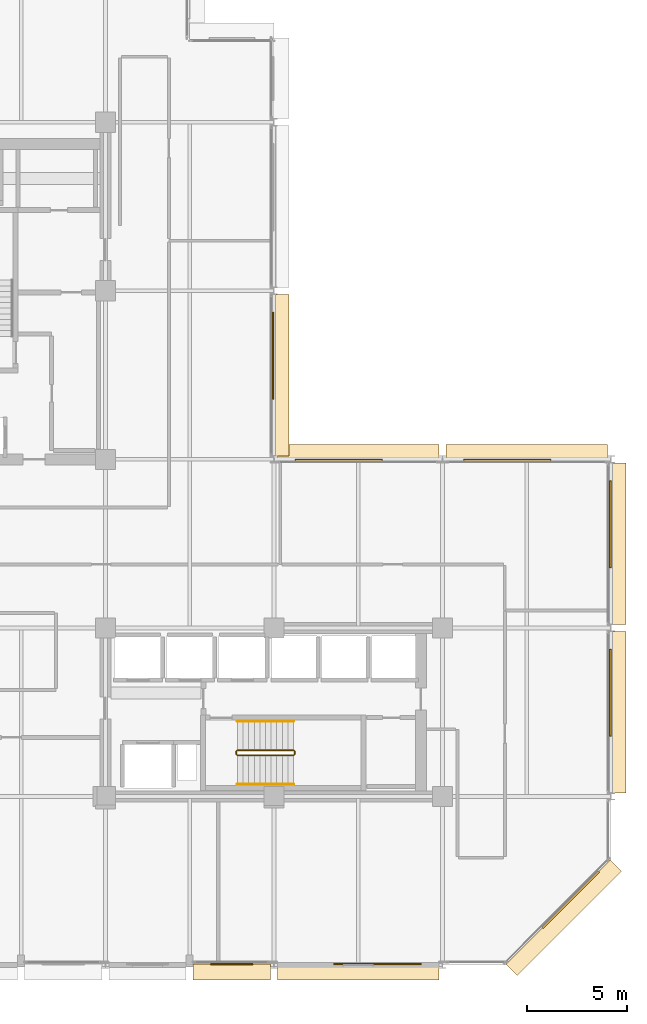
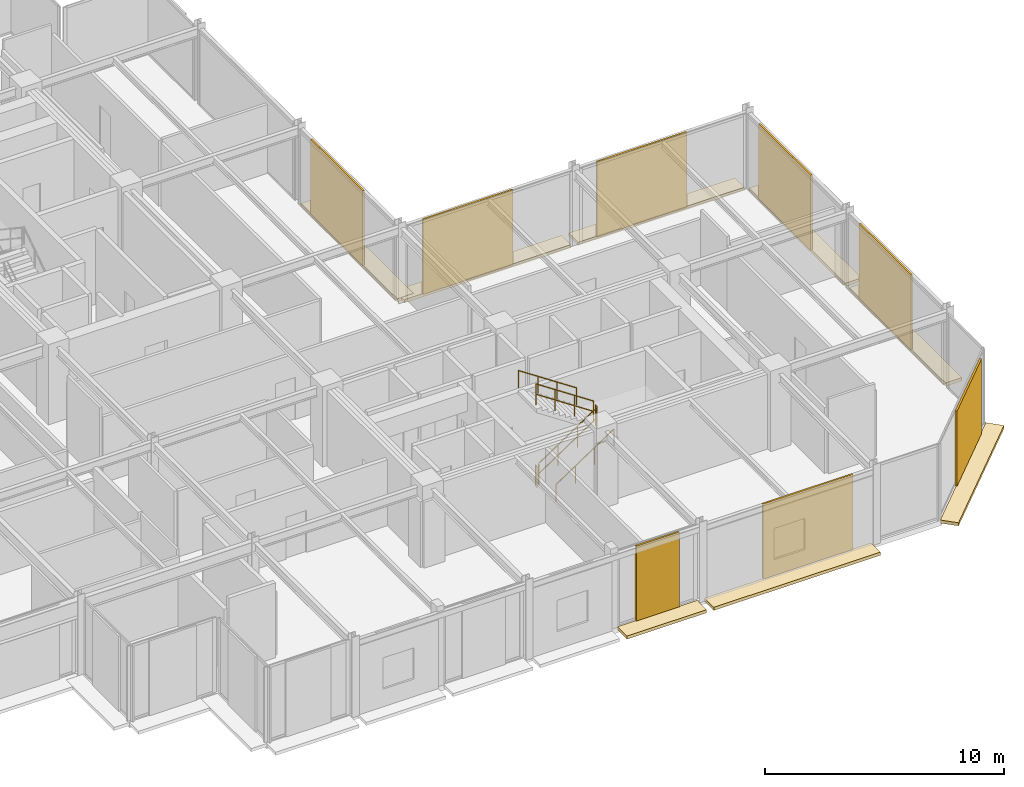
# One storey, part 28 of 29: 16 coverings, 6 railings.
"""IFC4 building model written with IfcOpenShell, lengths in metres."""

from ifc_helpers import new_model, si_unit, direction, frame, origin, origin_2d, place, context, subcontext, project, spatial, polyline, rectangle, circle, outline, extrude, material, layer, layer_set, type_object, element, save


model = new_model("IFC4")

# Units and contexts
model_context = context("Model", 3, precision=1e-05, world=origin(), true_north=direction((0.0, 1.0)))
body_context = subcontext(model_context, "Body", "Model", "MODEL_VIEW")
ifc_project = project(units=[si_unit("LENGTHUNIT", "METRE"), si_unit("AREAUNIT", "SQUARE_METRE"), si_unit("VOLUMEUNIT", "CUBIC_METRE"), si_unit("PLANEANGLEUNIT", "RADIAN"), si_unit("MASSUNIT", "GRAM", prefix="KILO")], contexts=[model_context])

# Site, building, storey
site_placement = place(None, origin())
site = spatial("IfcSite", under=ifc_project, at=site_placement, CompositionType="ELEMENT")
building_placement = place(site_placement, origin())
building = spatial("IfcBuilding", under=site, at=building_placement, Name="Nerrivon Quay Data Exchange", CompositionType="ELEMENT")
storey_placement = place(building_placement, frame((0.0, 0.0, 204.199951171875)))
storey = spatial("IfcBuildingStorey", under=building, at=storey_placement, Name="L48", CompositionType="ELEMENT", Elevation=204.199951171875)

# Coverings
ifc_material_1 = material(Name="Architectural terracotta ceramic", Category="masonry")
ifc_layer_1 = layer(ifc_material_1, 0.159912109375)
ifc_layer_set_1 = layer_set([ifc_layer_1], Name="Architectural terracotta ceramic")
covering_type_1 = type_object("IfcCoveringType", Name="COV-BLD-TERR", PredefinedType="CLADDING", material=ifc_layer_set_1)
covering_1_placement = place(storey_placement, frame((0.0, 0.0, -0.159912109375)))
element("IfcCovering", 1, at=covering_1_placement, inside=storey, type_object=covering_type_1, Name="L48 Horizontal Terracotta SOLAR SCREEN Blade", PredefinedType="CLADDING", context=body_context, shape_type="SweptSolid", body=[
    extrude(outline(polyline([(25.159912109375, 33.425048828125), (25.159912109375, 25.375), (25.949951171875, 25.375), (25.949951171875, 33.425048828125), (25.159912109375, 33.425048828125)])), origin(), (0.0, 0.0, 1.0), 0.159912109375),
])
covering_2_placement = place(storey_placement, frame((0.0, 0.0, -0.159912109375)))
element("IfcCovering", 2, at=covering_2_placement, inside=storey, type_object=covering_type_1, Name="L48 Horizontal Terracotta SOLAR SCREEN Blade", PredefinedType="CLADDING", context=body_context, shape_type="SweptSolid", body=[
    extrude(outline(polyline([(25.375, 25.159912109375), (33.425048828125, 25.159912109375), (33.425048828125, 25.949951171875), (25.375, 25.949951171875), (25.375, 25.159912109375)])), origin(), (0.0, 0.0, 1.0), 0.159912109375),
])
covering_3_placement = place(storey_placement, frame((0.0, 0.0, -0.159912109375)))
element("IfcCovering", 3, at=covering_3_placement, inside=storey, type_object=covering_type_1, Name="L48 Horizontal Terracotta SOLAR SCREEN Blade", PredefinedType="CLADDING", context=body_context, shape_type="SweptSolid", body=[
    extrude(outline(polyline([(33.77490234375, 25.159912109375), (41.824951171875, 25.159912109375), (41.824951171875, 25.949951171875), (33.77490234375, 25.949951171875), (33.77490234375, 25.159912109375)])), origin(), (0.0, 0.0, 1.0), 0.159912109375),
])
covering_4_placement = place(storey_placement, frame((0.0, 0.0, -0.159912109375)))
element("IfcCovering", 4, at=covering_4_placement, inside=storey, type_object=covering_type_1, Name="L48 Horizontal Terracotta SOLAR SCREEN Blade", PredefinedType="CLADDING", context=body_context, shape_type="SweptSolid", body=[
    extrude(outline(polyline([(41.9599609375, 25.02490234375), (41.9599609375, 16.97509765625), (42.75, 16.97509765625), (42.75, 25.02490234375), (41.9599609375, 25.02490234375)])), origin(), (0.0, 0.0, 1.0), 0.159912109375),
])
covering_5_placement = place(storey_placement, frame((0.0, 0.0, -0.159912109375)))
element("IfcCovering", 5, at=covering_5_placement, inside=storey, type_object=covering_type_1, Name="L48 Horizontal Terracotta SOLAR SCREEN Blade", PredefinedType="CLADDING", context=body_context, shape_type="SweptSolid", body=[
    extrude(outline(polyline([(41.9599609375, 16.625), (41.9599609375, 8.574951171875), (42.75, 8.574951171875), (42.75, 16.625), (41.9599609375, 16.625)])), origin(), (0.0, 0.0, 1.0), 0.159912109375),
])
covering_6_placement = place(storey_placement, frame((0.0, 0.0, -0.159912109375)))
element("IfcCovering", 6, at=covering_6_placement, inside=storey, type_object=covering_type_1, Name="L48 Horizontal Terracotta SOLAR SCREEN Blade", PredefinedType="CLADDING", context=body_context, shape_type="SweptSolid", body=[
    extrude(outline(polyline([(41.9716796875, 5.228271484375), (36.771728515625, 0.0283203125), (37.330322265625, -0.5302734375), (42.5302734375, 4.669677734375), (41.9716796875, 5.228271484375)])), origin(), (0.0, 0.0, 1.0), 0.159912109375),
])
covering_7_placement = place(storey_placement, frame((0.0, 0.0, -0.159912109375)))
element("IfcCovering", 7, at=covering_7_placement, inside=storey, type_object=covering_type_1, Name="L48 Horizontal Terracotta SOLAR SCREEN Blade", PredefinedType="CLADDING", context=body_context, shape_type="SweptSolid", body=[
    extrude(outline(polyline([(33.425048828125, 0.0400390625), (25.375, 0.0400390625), (25.375, -0.75), (33.425048828125, -0.75), (33.425048828125, 0.0400390625)])), origin(), (0.0, 0.0, 1.0), 0.159912109375),
])
covering_8_placement = place(storey_placement, frame((0.0, 0.0, -0.159912109375)))
element("IfcCovering", 8, at=covering_8_placement, inside=storey, type_object=covering_type_1, Name="L48 Horizontal Terracotta SOLAR SCREEN Blade", PredefinedType="CLADDING", context=body_context, shape_type="SweptSolid", body=[
    extrude(outline(polyline([(25.02490234375, 0.0400390625), (21.175048828125, 0.0400390625), (21.175048828125, -0.75), (25.02490234375, -0.75), (25.02490234375, 0.0400390625)])), origin(), (0.0, 0.0, 1.0), 0.159912109375),
])
ifc_layer_2 = layer(ifc_material_1, 0.090087890625)
ifc_layer_set_2 = layer_set([ifc_layer_2], Name="Architectural terracotta ceramic")
covering_type_2 = type_object("IfcCoveringType", Name="COV-SCR-TERR", PredefinedType="CLADDING", material=ifc_layer_set_2)
for number, where, z_axis, x_axis, name in (
    (9, (25.155029296875, 30.365966796875, 0.0), (0.0, 0.0, 1.0), (0.0, -1.0, 0.0), "L48 Perforated Terracotta SOLAR SCREEN Cassette"),
    (10, (28.43408203125, 25.155029296875, 0.0), (0.0, 0.0, 1.0), (1.0, 0.0, 0.0), "L48 Perforated Terracotta SOLAR SCREEN Cassette"),
    (11, (36.833984375, 25.155029296875, 0.0), (0.0, 0.0, 1.0), (1.0, 0.0, 0.0), "L48 Perforated Terracotta SOLAR SCREEN Cassette"),
    (12, (41.955078125, 21.966064453125, 0.0), (0.0, 0.0, 1.0), (0.0, -1.0, 0.0), "L48 Perforated Terracotta SOLAR SCREEN Cassette"),
    (13, (41.955078125, 13.56591796875, 0.0), (0.0, 0.0, 1.0), (0.0, -1.0, 0.0), "L48 Perforated Terracotta SOLAR SCREEN Cassette"),
):
    element("IfcCovering", number, at=place(storey_placement, frame(where, z_axis=z_axis, x_axis=x_axis)), inside=storey, type_object=covering_type_2, Name=name, PredefinedType="CLADDING", context=body_context, shape_type="SweptSolid", body=[
        extrude(rectangle(XDim=4.346923828125, YDim=0.090087890625, at=origin_2d()), origin(), (0.0, 0.0, 1.0), 3.824951171875),
    ])
covering_9_placement = place(storey_placement, frame((39.9921875, 3.255859375, 0.0), z_axis=(0.0, 0.0, 1.0), x_axis=(-0.707106781187, -0.707106781187, 0.0)))
element("IfcCovering", 14, at=covering_9_placement, inside=storey, type_object=covering_type_2, Name="L48 Perforated Terracotta SOLAR SCREEN Cassette", PredefinedType="CLADDING", context=body_context, shape_type="SweptSolid", body=[
    extrude(rectangle(XDim=3.970947265625, YDim=0.090087890625, at=origin_2d()), origin(), (0.0, 0.0, 1.0), 3.824951171875),
])
covering_10_placement = place(storey_placement, frame((30.365966796875, 0.044921875, 0.0), z_axis=(0.0, 0.0, 1.0), x_axis=(-1.0, 0.0, 0.0)))
element("IfcCovering", 15, at=covering_10_placement, inside=storey, type_object=covering_type_2, Name="L48 Perforated Terracotta SOLAR SCREEN Cassette", PredefinedType="CLADDING", context=body_context, shape_type="SweptSolid", body=[
    extrude(rectangle(XDim=4.346923828125, YDim=0.090087890625, at=origin_2d()), origin(), (0.0, 0.0, 1.0), 3.824951171875),
])
covering_11_placement = place(storey_placement, frame((23.10009765625, 0.044921875, 0.0), z_axis=(0.0, 0.0, 1.0), x_axis=(-1.0, 0.0, 0.0)))
element("IfcCovering", 16, at=covering_11_placement, inside=storey, type_object=covering_type_2, Name="L48 Perforated Terracotta SOLAR SCREEN Cassette", PredefinedType="CLADDING", context=body_context, shape_type="SweptSolid", body=[
    extrude(rectangle(XDim=2.0791015625, YDim=0.090087890625, at=origin_2d()), origin(), (0.0, 0.0, 1.0), 3.824951171875),
])

# Railings
ifc_material_2 = material(Name="Steel Grade C350L0 (350 MPa)", Category="steel")
railing_type_1 = type_object("IfcRailingType", Name="RAIL-HAND-HR1", PredefinedType="HANDRAIL", material=ifc_material_2)
railing_1_placement = place(storey_placement, frame((23.3798828125, 9.0, 0.1865234375)))
element("IfcRailing", 17, at=railing_1_placement, inside=storey, type_object=railing_type_1, Name="L48 ST02 stair handrail 1", PredefinedType="HANDRAIL", context=body_context, shape_type="SweptSolid", body=[
    extrude(circle(Radius=0.02392578125, at=origin_2d()), frame((0.0, 0.0, 0.8759765625), z_axis=(0.832485552168, 0.0, 0.554046753832), x_axis=(0.0, 1.0, 0.0)), (0.0, 0.0, 1.0), 3.363525390625),
    extrude(circle(Radius=0.02099609375, at=origin_2d()), origin(), (0.0, 0.0, 1.0), 0.851806640625),
    extrude(circle(Radius=0.02099609375, at=origin_2d()), frame((0.933349609375, 0.0, 0.62109375)), (0.0, 0.0, 1.0), 0.851806640625),
    extrude(circle(Radius=0.02099609375, at=origin_2d()), frame((1.86669921875, 0.0, 1.242431640625)), (0.0, 0.0, 1.0), 0.851806640625),
    extrude(circle(Radius=0.02099609375, at=origin_2d()), frame((2.800048828125, 0.0, 1.863525390625)), (0.0, 0.0, 1.0), 0.851806640625),
])
railing_2_placement = place(storey_placement, frame((26.179931640625, 12.14990234375, 2.236328125)))
element("IfcRailing", 18, at=railing_2_placement, inside=storey, type_object=railing_type_1, Name="L48 ST02 stair handrail 2", PredefinedType="HANDRAIL", context=body_context, shape_type="SweptSolid", body=[
    extrude(circle(Radius=0.02392578125, at=origin_2d()), frame((0.0, 0.0, 0.8759765625), z_axis=(-0.832452072856, 0.0, 0.554097055034), x_axis=(0.0, -1.0, 0.0)), (0.0, 0.0, 1.0), 3.363525390625),
    extrude(circle(Radius=0.02099609375, at=origin_2d()), origin(), (0.0, 0.0, 1.0), 0.851806640625),
    extrude(circle(Radius=0.02099609375, at=origin_2d()), frame((-0.933349609375, 0.0, 0.621337890625)), (0.0, 0.0, 1.0), 0.851806640625),
    extrude(circle(Radius=0.02099609375, at=origin_2d()), frame((-1.86669921875, 0.0, 1.242431640625)), (0.0, 0.0, 1.0), 0.851806640625),
    extrude(circle(Radius=0.02099609375, at=origin_2d()), frame((-2.800048828125, 0.0, 1.86376953125)), (0.0, 0.0, 1.0), 0.851806640625),
])
railing_type_2 = type_object("IfcRailingType", Name="RAIL-STAIR-GR1", PredefinedType="BALUSTRADE", material=ifc_material_2)
railing_3_placement = place(storey_placement, frame((23.3798828125, 10.449951171875, 0.1865234375)))
element("IfcRailing", 19, at=railing_3_placement, inside=storey, type_object=railing_type_2, Name="L48 ST02 stair guard 1", PredefinedType="BALUSTRADE", context=body_context, shape_type="SweptSolid", body=[
    extrude(circle(Radius=0.02392578125, at=origin_2d()), frame((0.0, 0.0, 1.076171875), z_axis=(0.832485552168, 0.0, 0.554046753832), x_axis=(0.0, 1.0, 0.0)), (0.0, 0.0, 1.0), 3.363525390625),
    extrude(circle(Radius=0.02392578125, at=origin_2d()), frame((0.0, 0.0, 0.550048828125), z_axis=(0.832485552168, 0.0, 0.554046753832), x_axis=(0.0, 1.0, 0.0)), (0.0, 0.0, 1.0), 3.363525390625),
    extrude(circle(Radius=0.02099609375, at=origin_2d()), origin(), (0.0, 0.0, 1.0), 1.052001953125),
    extrude(circle(Radius=0.02099609375, at=origin_2d()), frame((0.933349609375, 0.0, 0.62109375)), (0.0, 0.0, 1.0), 1.052001953125),
    extrude(circle(Radius=0.02099609375, at=origin_2d()), frame((1.86669921875, 0.0, 1.242431640625)), (0.0, 0.0, 1.0), 1.052001953125),
    extrude(circle(Radius=0.02099609375, at=origin_2d()), frame((2.800048828125, 0.0, 1.863525390625)), (0.0, 0.0, 1.0), 1.052001953125),
])
railing_4_placement = place(storey_placement, frame((26.22998046875, 10.5, 2.050048828125)))
element("IfcRailing", 20, at=railing_4_placement, inside=storey, type_object=railing_type_2, Name="L48 ST02 stair guard 2", PredefinedType="BALUSTRADE", context=body_context, shape_type="SweptSolid", body=[
    extrude(circle(Radius=0.02392578125, at=origin_2d()), frame((0.0, 0.0, 1.076171875), z_axis=(0.0, 1.0, 0.0), x_axis=(-1.0, 0.0, 0.0)), (0.0, 0.0, 1.0), 0.14990234375),
    extrude(circle(Radius=0.02392578125, at=origin_2d()), frame((0.0, 0.0, 0.550048828125), z_axis=(0.0, 1.0, 0.0), x_axis=(-1.0, 0.0, 0.0)), (0.0, 0.0, 1.0), 0.14990234375),
    extrude(circle(Radius=0.02099609375, at=origin_2d()), origin(), (0.0, 0.0, 1.0), 1.052001953125),
    extrude(circle(Radius=0.02099609375, at=origin_2d()), frame((0.0, 0.14990234375, 0.0)), (0.0, 0.0, 1.0), 1.052001953125),
])
railing_5_placement = place(storey_placement, frame((26.179931640625, 10.699951171875, 2.236328125)))
element("IfcRailing", 21, at=railing_5_placement, inside=storey, type_object=railing_type_2, Name="L48 ST02 stair guard 3", PredefinedType="BALUSTRADE", context=body_context, shape_type="SweptSolid", body=[
    extrude(circle(Radius=0.02392578125, at=origin_2d()), frame((0.0, 0.0, 1.076171875), z_axis=(-0.832452072856, 0.0, 0.554097055034), x_axis=(0.0, -1.0, 0.0)), (0.0, 0.0, 1.0), 3.363525390625),
    extrude(circle(Radius=0.02392578125, at=origin_2d()), frame((0.0, 0.0, 0.550048828125), z_axis=(-0.832452072856, 0.0, 0.554097055034), x_axis=(0.0, -1.0, 0.0)), (0.0, 0.0, 1.0), 3.363525390625),
    extrude(circle(Radius=0.02099609375, at=origin_2d()), origin(), (0.0, 0.0, 1.0), 1.052001953125),
    extrude(circle(Radius=0.02099609375, at=origin_2d()), frame((-0.933349609375, 0.0, 0.621337890625)), (0.0, 0.0, 1.0), 1.052001953125),
    extrude(circle(Radius=0.02099609375, at=origin_2d()), frame((-1.86669921875, 0.0, 1.242431640625)), (0.0, 0.0, 1.0), 1.052001953125),
    extrude(circle(Radius=0.02099609375, at=origin_2d()), frame((-2.800048828125, 0.0, 1.86376953125)), (0.0, 0.0, 1.0), 1.052001953125),
])
railing_6_placement = place(storey_placement, frame((23.330078125, 10.5, 0.0)))
element("IfcRailing", 22, at=railing_6_placement, inside=storey, type_object=railing_type_2, Name="L48 ST02 stair guard 4", PredefinedType="BALUSTRADE", context=body_context, shape_type="SweptSolid", body=[
    extrude(circle(Radius=0.02392578125, at=origin_2d()), frame((0.0, 0.0, 1.076171875), z_axis=(0.0, 1.0, 0.0), x_axis=(-1.0, 0.0, 0.0)), (0.0, 0.0, 1.0), 0.14990234375),
    extrude(circle(Radius=0.02392578125, at=origin_2d()), frame((0.0, 0.0, 0.550048828125), z_axis=(0.0, 1.0, 0.0), x_axis=(-1.0, 0.0, 0.0)), (0.0, 0.0, 1.0), 0.14990234375),
    extrude(circle(Radius=0.02099609375, at=origin_2d()), origin(), (0.0, 0.0, 1.0), 1.052001953125),
    extrude(circle(Radius=0.02099609375, at=origin_2d()), frame((0.0, 0.14990234375, 0.0)), (0.0, 0.0, 1.0), 1.052001953125),
])

save(model, "model.ifc")
